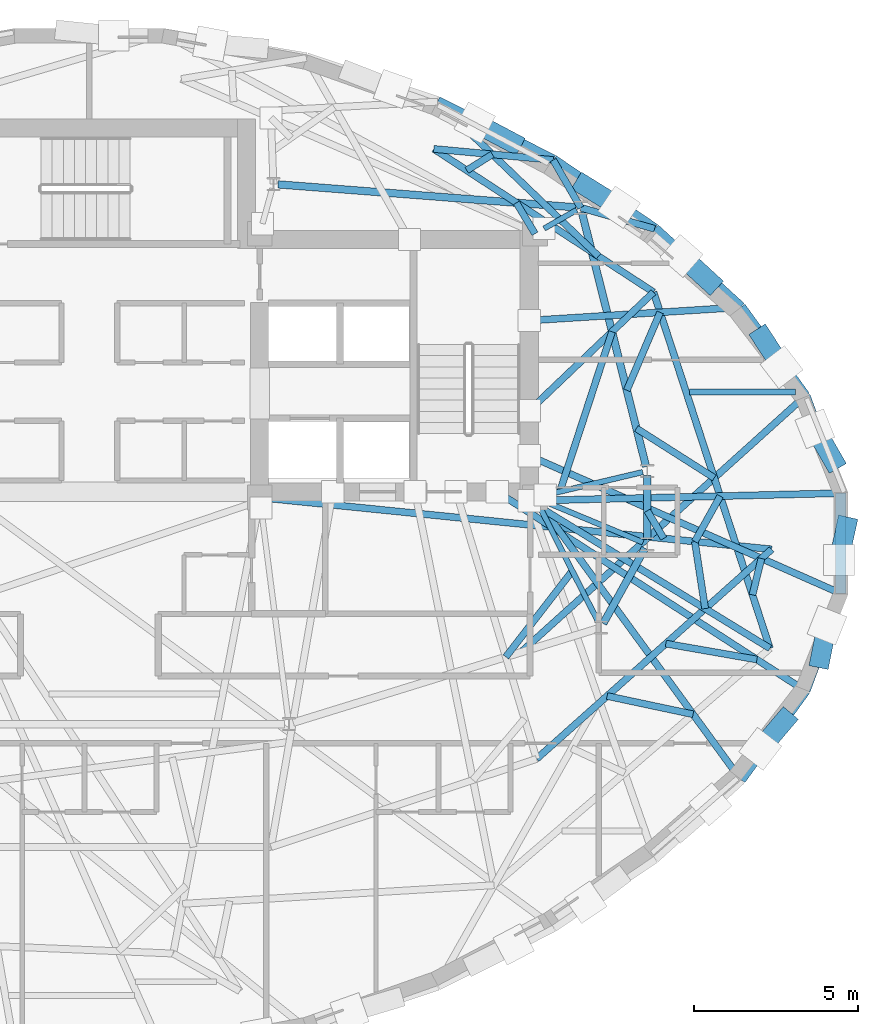
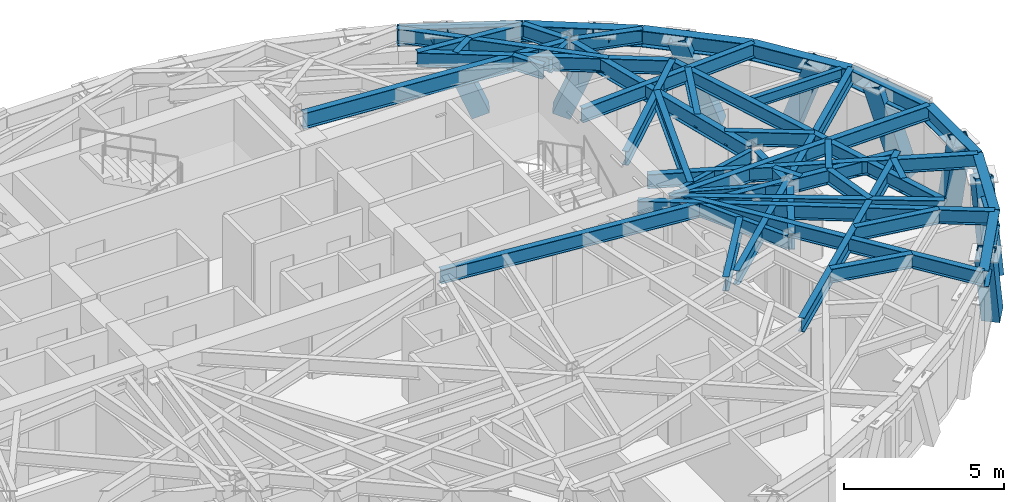
# One storey, part 4 of 13: 45 beams, 8 members.
"""IFC4 building model written with IfcOpenShell, lengths in metres."""

from ifc_helpers import new_model, si_unit, direction, frame, origin, origin_2d, place, context, subcontext, project, spatial, hollow_rectangle, i_section, extrude, material, material_profile, profile_set, type_object, element, save


model = new_model("IFC4")

# Units and contexts
model_context = context("Model", 3, precision=1e-05, world=origin(), true_north=direction((0.0, 1.0)))
body_context = subcontext(model_context, "Body", "Model", "MODEL_VIEW")
ifc_project = project(units=[si_unit("LENGTHUNIT", "METRE"), si_unit("AREAUNIT", "SQUARE_METRE"), si_unit("VOLUMEUNIT", "CUBIC_METRE"), si_unit("PLANEANGLEUNIT", "RADIAN"), si_unit("MASSUNIT", "GRAM", prefix="KILO")], contexts=[model_context])

# Site, building, storey
site_placement = place(None, origin())
site = spatial("IfcSite", under=ifc_project, at=site_placement, CompositionType="ELEMENT")
building_placement = place(site_placement, origin())
building = spatial("IfcBuilding", under=site, at=building_placement, Name="Keldmark Tower", CompositionType="ELEMENT")
storey_placement = place(building_placement, frame((0.0, 0.0, 219.449951171875)))
storey = spatial("IfcBuildingStorey", under=building, at=storey_placement, Name="L61", CompositionType="ELEMENT", Elevation=219.449951171875)

# Beam
ifc_material_1 = material(Name="Steel ASTM A992 Grade 50", Category="steel")
ifc_material_profile_1 = material_profile(ifc_material_1, i_section(OverallWidth=0.177978515625, OverallDepth=0.403076171875, WebThickness=0.007568359375, FlangeThickness=0.010986328125, at=origin_2d()), Name="W16X36")
ifc_profile_set_1 = profile_set([ifc_material_profile_1], Name="Steel ASTM A992 Grade 50")
beam_type_1 = type_object("IfcBeamType", Name="Composite Floor Joist W16X36", PredefinedType="JOIST", material=ifc_profile_set_1)
beam_1_placement = place(storey_placement, frame((18.315185546875, 4.6201171875, 2.7685546875), z_axis=(1.0, 0.0, 0.0), x_axis=(0.0, 1.0, 0.0)))
element("IfcBeam", 1, at=beam_1_placement, inside=storey, type_object=beam_type_1, Name="L61 Composite Floor Joist J08", PredefinedType="JOIST", context=body_context, shape_type="SweptSolid", body=[
    extrude(i_section(OverallWidth=0.177978515625, OverallDepth=0.403076171875, WebThickness=0.007568359375, FlangeThickness=0.010986328125, at=origin_2d()), origin(), (0.0, 0.0, 1.0), 3.240478515625),
])

# Members
ifc_material_2 = material(Name="Steel ASTM A572 Grade 50", Category="steel")
ifc_material_profile_2 = material_profile(ifc_material_2, hollow_rectangle(XDim=0.60009765625, YDim=0.60009765625, WallThickness=0.034912109375, at=origin_2d()), Name="BOX600X600X35")
ifc_profile_set_2 = profile_set([ifc_material_profile_2], Name="Steel ASTM A572 Grade 50")
member_type = type_object("IfcMemberType", Name="Diagrid Zone 4 Brace BOX600X600X35", PredefinedType="BRACE", material=ifc_profile_set_2)
member_1_placement = place(storey_placement, frame((22.703125, 2.531982421875, -0.260009765625), z_axis=(-0.168952052128, 0.29291424866, 0.941093219088), x_axis=(-0.866232864764, -0.499640494758, 0.0)))
element("IfcMember", 2, at=member_1_placement, inside=storey, type_object=member_type, Name="L61 Perimeter Diagrid Brace 01A", PredefinedType="BRACE", context=body_context, shape_type="SweptSolid", body=[
    extrude(hollow_rectangle(XDim=0.60009765625, YDim=0.60009765625, WallThickness=0.034912109375, at=origin_2d()), origin(), (0.0, 0.0, 1.0), 3.3046875),
])
member_2_placement = place(storey_placement, frame((20.53076171875, 6.2978515625, -0.260009765625), z_axis=(0.181034012006, -0.278473995565, 0.94322792595), x_axis=(0.838407962729, 0.545043198318, 0.0)))
element("IfcMember", 3, at=member_2_placement, inside=storey, type_object=member_type, Name="L61 Perimeter Diagrid Brace 01B", PredefinedType="BRACE", context=body_context, shape_type="SweptSolid", body=[
    extrude(hollow_rectangle(XDim=0.60009765625, YDim=0.60009765625, WallThickness=0.034912109375, at=origin_2d()), origin(), (0.0, 0.0, 1.0), 3.29736328125),
])
member_3_placement = place(storey_placement, frame((18.944580078125, 7.97119140625, -0.260009765625), z_axis=(-0.262084150477, 0.241179033521, 0.934422052318), x_axis=(-0.67715021824, -0.735844808324, 0.0)))
element("IfcMember", 4, at=member_3_placement, inside=storey, type_object=member_type, Name="L61 Perimeter Diagrid Brace 02A", PredefinedType="BRACE", context=body_context, shape_type="SweptSolid", body=[
    extrude(hollow_rectangle(XDim=0.60009765625, YDim=0.60009765625, WallThickness=0.034912109375, at=origin_2d()), origin(), (0.0, 0.0, 1.0), 3.328369140625),
])
member_4_placement = place(storey_placement, frame((15.09619140625, 10.928955078125, -0.260009765625), z_axis=(0.320420047481, -0.198635709035, 0.926215335798), x_axis=(0.52689230294, 0.849932056756, 0.0)))
element("IfcMember", 5, at=member_4_placement, inside=storey, type_object=member_type, Name="L61 Perimeter Diagrid Brace 02B", PredefinedType="BRACE", context=body_context, shape_type="SweptSolid", body=[
    extrude(hollow_rectangle(XDim=0.60009765625, YDim=0.60009765625, WallThickness=0.034912109375, at=origin_2d()), origin(), (0.0, 0.0, 1.0), 3.35791015625),
])
member_5_placement = place(storey_placement, frame((12.91650390625, 12.227783203125, -0.260009765625), z_axis=(-0.341857154264, 0.181460064734, 0.922066120723), x_axis=(-0.468849818698, -0.883277899365, 0.0)))
element("IfcMember", 6, at=member_5_placement, inside=storey, type_object=member_type, Name="L61 Perimeter Diagrid Brace 03A", PredefinedType="BRACE", context=body_context, shape_type="SweptSolid", body=[
    extrude(hollow_rectangle(XDim=0.60009765625, YDim=0.60009765625, WallThickness=0.034912109375, at=origin_2d()), origin(), (0.0, 0.0, 1.0), 3.373046875),
])
member_6_placement = place(storey_placement, frame((21.226318359375, -5.389404296875, -0.260009765625), z_axis=(-0.225555592394, -0.266164427033, 0.93716656605), x_axis=(0.762906177168, -0.646509214814, 0.0)))
element("IfcMember", 7, at=member_6_placement, inside=storey, type_object=member_type, Name="L61 Perimeter Diagrid Brace 15B", PredefinedType="BRACE", context=body_context, shape_type="SweptSolid", body=[
    extrude(hollow_rectangle(XDim=0.60009765625, YDim=0.60009765625, WallThickness=0.034912109375, at=origin_2d()), origin(), (0.0, 0.0, 1.0), 3.318603515625),
])
member_7_placement = place(storey_placement, frame((22.309326171875, -3.51171875, -0.260009765625), z_axis=(0.06184838902, 0.308347751522, 0.949260997254), x_axis=(-0.980471164817, 0.196662896761, 0.0)))
element("IfcMember", 8, at=member_7_placement, inside=storey, type_object=member_type, Name="L61 Perimeter Diagrid Brace 16A", PredefinedType="BRACE", context=body_context, shape_type="SweptSolid", body=[
    extrude(hollow_rectangle(XDim=0.60009765625, YDim=0.60009765625, WallThickness=0.034912109375, at=origin_2d()), origin(), (0.0, 0.0, 1.0), 3.2763671875),
])
member_8_placement = place(storey_placement, frame((23.099365234375, 0.521484375, -0.260009765625), z_axis=(-0.068496082974, -0.312583101779, 0.947417590664), x_axis=(0.976822627571, -0.214050354507, 0.0)))
element("IfcMember", 9, at=member_8_placement, inside=storey, type_object=member_type, Name="L61 Perimeter Diagrid Brace 16B", PredefinedType="BRACE", context=body_context, shape_type="SweptSolid", body=[
    extrude(hollow_rectangle(XDim=0.60009765625, YDim=0.60009765625, WallThickness=0.034912109375, at=origin_2d()), origin(), (0.0, 0.0, 1.0), 3.28271484375),
])

# Beams
ifc_material_3 = material(Name="Steel ASTM A992 Grade 50", Category="steel")
ifc_material_profile_3 = material_profile(ifc_material_3, i_section(OverallWidth=0.22802734375, OverallDepth=0.60302734375, WebThickness=0.010498046875, FlangeThickness=0.014892578125, at=origin_2d()), Name="W24X68")
ifc_profile_set_3 = profile_set([ifc_material_profile_3], Name="Steel ASTM A992 Grade 50")
beam_type_2 = type_object("IfcBeamType", Name="Primary Floor Girder W24X68", PredefinedType="BEAM", material=ifc_profile_set_3)
beam_2_placement = place(storey_placement, frame((16.9912109375, 2.34375, 2.66845703125), z_axis=(-0.244902129455, 0.969547805417, 0.0), x_axis=(-0.969547805417, -0.244902129455, 0.0)))
element("IfcBeam", 10, at=beam_2_placement, inside=storey, type_object=beam_type_2, Name="L61 Floor Ring Girder FG-R01", PredefinedType="BEAM", context=body_context, shape_type="SweptSolid", body=[
    extrude(i_section(OverallWidth=0.22802734375, OverallDepth=0.60302734375, WebThickness=0.010498046875, FlangeThickness=0.014892578125, at=origin_2d()), origin(), (0.0, 0.0, 1.0), 8.008056640625),
])
beam_3_placement = place(storey_placement, frame((14.856201171875, 10.25439453125, 2.66845703125), z_axis=(-0.997037147832, 0.076921556421, 0.0), x_axis=(-0.076921556421, -0.997037147832, 0.0)))
element("IfcBeam", 11, at=beam_3_placement, inside=storey, type_object=beam_type_2, Name="L61 Floor Ring Girder FG-R02", PredefinedType="BEAM", context=body_context, shape_type="SweptSolid", body=[
    extrude(i_section(OverallWidth=0.22802734375, OverallDepth=0.60302734375, WebThickness=0.010498046875, FlangeThickness=0.014892578125, at=origin_2d()), origin(), (0.0, 0.0, 1.0), 9.125),
])
beam_4_placement = place(storey_placement, frame((15.68408203125, -2.44482421875, 2.66845703125), z_axis=(0.484719680408, 0.874669555561, 0.0), x_axis=(-0.874669555561, 0.484719680408, 0.0)))
element("IfcBeam", 12, at=beam_4_placement, inside=storey, type_object=beam_type_2, Name="L61 Floor Ring Girder FG-R11", PredefinedType="BEAM", context=body_context, shape_type="SweptSolid", body=[
    extrude(i_section(OverallWidth=0.22802734375, OverallDepth=0.60302734375, WebThickness=0.010498046875, FlangeThickness=0.014892578125, at=origin_2d()), origin(), (0.0, 0.0, 1.0), 2.627685546875),
])
beam_5_placement = place(storey_placement, frame((17.025634765625, 0.115966796875, 2.66845703125), z_axis=(0.0, 1.0, 0.0), x_axis=(-1.0, 0.0, 0.0)))
element("IfcBeam", 13, at=beam_5_placement, inside=storey, type_object=beam_type_2, Name="L61 Floor Ring Girder FG-R12", PredefinedType="BEAM", context=body_context, shape_type="SweptSolid", body=[
    extrude(i_section(OverallWidth=0.22802734375, OverallDepth=0.60302734375, WebThickness=0.010498046875, FlangeThickness=0.014892578125, at=origin_2d()), origin(), (0.0, 0.0, 1.0), 1.9521484375),
])
ifc_material_4 = material(Name="Steel ASTM A992 Grade 50", Category="steel")
ifc_material_profile_4 = material_profile(ifc_material_4, i_section(OverallWidth=0.166015625, OverallDepth=0.529052734375, WebThickness=0.009765625, FlangeThickness=0.013671875, at=origin_2d()), Name="W21X50")
ifc_profile_set_4 = profile_set([ifc_material_profile_4], Name="Steel ASTM A992 Grade 50")
beam_type_3 = type_object("IfcBeamType", Name="Radial Tie Girder W21X50", PredefinedType="BEAM", material=ifc_profile_set_4)
beam_6_placement = place(storey_placement, frame((16.889404296875, 2.17578125, 2.70556640625), z_axis=(-0.97329039005, -0.229577474147, 0.0), x_axis=(0.229577474147, -0.97329039005, 0.0)))
element("IfcBeam", 14, at=beam_6_placement, inside=storey, type_object=beam_type_3, Name="L61 Floor Radial Girder FG-C01", PredefinedType="BEAM", context=body_context, shape_type="SweptSolid", body=[
    extrude(i_section(OverallWidth=0.166015625, OverallDepth=0.529052734375, WebThickness=0.009765625, FlangeThickness=0.013671875, at=origin_2d()), origin(), (0.0, 0.0, 1.0), 3.0595703125),
])
beam_7_placement = place(storey_placement, frame((14.8740234375, 10.174560546875, 2.70556640625), z_axis=(-0.869238046195, -0.494393789451, 0.0), x_axis=(0.494393789451, -0.869238046195, 0.0)))
element("IfcBeam", 15, at=beam_7_placement, inside=storey, type_object=beam_type_3, Name="L61 Floor Radial Girder FG-C02", PredefinedType="BEAM", context=body_context, shape_type="SweptSolid", body=[
    extrude(i_section(OverallWidth=0.166015625, OverallDepth=0.529052734375, WebThickness=0.009765625, FlangeThickness=0.013671875, at=origin_2d()), origin(), (0.0, 0.0, 1.0), 1.145751953125),
])
beam_8_placement = place(storey_placement, frame((15.552734375, -2.442626953125, 2.70556640625), z_axis=(-0.453004410574, 0.89150827478, 0.0), x_axis=(-0.89150827478, -0.453004410574, 0.0)))
element("IfcBeam", 16, at=beam_8_placement, inside=storey, type_object=beam_type_3, Name="L61 Floor Radial Girder FG-C11", PredefinedType="BEAM", context=body_context, shape_type="SweptSolid", body=[
    extrude(i_section(OverallWidth=0.166015625, OverallDepth=0.529052734375, WebThickness=0.009765625, FlangeThickness=0.013671875, at=origin_2d()), origin(), (0.0, 0.0, 1.0), 3.990234375),
])
beam_9_placement = place(storey_placement, frame((16.896240234375, 0.02978515625, 2.70556640625), z_axis=(-0.923403331902, 0.383831065226, 0.0), x_axis=(-0.383831065226, -0.923403331902, 0.0)))
element("IfcBeam", 17, at=beam_9_placement, inside=storey, type_object=beam_type_3, Name="L61 Floor Radial Girder FG-C12", PredefinedType="BEAM", context=body_context, shape_type="SweptSolid", body=[
    extrude(i_section(OverallWidth=0.166015625, OverallDepth=0.529052734375, WebThickness=0.009765625, FlangeThickness=0.013671875, at=origin_2d()), origin(), (0.0, 0.0, 1.0), 3.249755859375),
])
ifc_material_5 = material(Name="Steel ASTM A992 Grade 50", Category="steel")
ifc_material_profile_5 = material_profile(ifc_material_5, i_section(OverallWidth=0.2099609375, OverallDepth=0.537109375, WebThickness=0.010986328125, FlangeThickness=0.017333984375, at=origin_2d()), Name="W21X68")
ifc_profile_set_5 = profile_set([ifc_material_profile_5], Name="Steel ASTM A992 Grade 50")
beam_type_4 = type_object("IfcBeamType", Name="Radial Tie Girder W21X68", PredefinedType="BEAM", material=ifc_profile_set_5)
beam_10_placement = place(storey_placement, frame((14.7392578125, -0.841796875, 2.70166015625), z_axis=(-0.611506175655, -0.79123965847, 0.0), x_axis=(0.79123965847, -0.611506175655, 0.0)))
element("IfcBeam", 18, at=beam_10_placement, inside=storey, type_object=beam_type_4, Name="L61 Framing Pin Header PH-005", PredefinedType="BEAM", context=body_context, shape_type="SweptSolid", body=[
    extrude(i_section(OverallWidth=0.2099609375, OverallDepth=0.537109375, WebThickness=0.010986328125, FlangeThickness=0.017333984375, at=origin_2d()), origin(), (0.0, 0.0, 1.0), 3.315673828125),
])
beam_11_placement = place(storey_placement, frame((17.025634765625, 0.994384765625, 2.70166015625), z_axis=(0.512445675076, -0.858719645807, 0.0), x_axis=(0.858719645807, 0.512445675076, 0.0)))
element("IfcBeam", 19, at=beam_11_placement, inside=storey, type_object=beam_type_4, Name="L61 Framing Pin Header PH-006", PredefinedType="BEAM", context=body_context, shape_type="SweptSolid", body=[
    extrude(i_section(OverallWidth=0.2099609375, OverallDepth=0.537109375, WebThickness=0.010986328125, FlangeThickness=0.017333984375, at=origin_2d()), origin(), (0.0, 0.0, 1.0), 0.9814453125),
])
beam_12_placement = place(storey_placement, frame((5.199951171875, 1.39990234375, 2.70166015625), z_axis=(0.994912802677, -0.100739838538, 0.0), x_axis=(0.100739838538, 0.994912802677, 0.0)))
element("IfcBeam", 20, at=beam_12_placement, inside=storey, type_object=beam_type_4, Name="L61 Sub-Ring Step Girder STP1-M12", PredefinedType="BEAM", context=body_context, shape_type="SweptSolid", body=[
    extrude(i_section(OverallWidth=0.2099609375, OverallDepth=0.537109375, WebThickness=0.010986328125, FlangeThickness=0.017333984375, at=origin_2d()), origin(), (0.0, 0.0, 1.0), 15.70166015625),
])
beam_13_placement = place(storey_placement, frame((13.6494140625, -6.577392578125, 2.70166015625), z_axis=(0.746371150868, 0.665529943092, 0.0), x_axis=(-0.665529943092, 0.746371150868, 0.0)))
element("IfcBeam", 21, at=beam_13_placement, inside=storey, type_object=beam_type_4, Name="L61 Perimeter Collector Ring Beam CRG1-M11", PredefinedType="BEAM", context=body_context, shape_type="SweptSolid", body=[
    extrude(i_section(OverallWidth=0.2099609375, OverallDepth=0.537109375, WebThickness=0.010986328125, FlangeThickness=0.017333984375, at=origin_2d()), origin(), (0.0, 0.0, 1.0), 9.609619140625),
])
beam_14_placement = place(storey_placement, frame((14.358154296875, 1.578857421875, 2.70166015625), z_axis=(0.310429844817, 0.950596292569, 0.0), x_axis=(-0.950596292569, 0.310429844817, 0.0)))
element("IfcBeam", 22, at=beam_14_placement, inside=storey, type_object=beam_type_4, Name="L61 Framing Pin Header PH-007", PredefinedType="BEAM", context=body_context, shape_type="SweptSolid", body=[
    extrude(i_section(OverallWidth=0.2099609375, OverallDepth=0.537109375, WebThickness=0.010986328125, FlangeThickness=0.017333984375, at=origin_2d()), origin(), (0.0, 0.0, 1.0), 5.134033203125),
])
beam_15_placement = place(storey_placement, frame((13.425048828125, 4.050048828125, 2.70166015625), z_axis=(0.72374566049, 0.69006682207, 0.0), x_axis=(-0.69006682207, 0.72374566049, 0.0)))
element("IfcBeam", 23, at=beam_15_placement, inside=storey, type_object=beam_type_4, Name="L61 Sub-Ring Step Girder STP2-M01", PredefinedType="BEAM", context=body_context, shape_type="SweptSolid", body=[
    extrude(i_section(OverallWidth=0.2099609375, OverallDepth=0.537109375, WebThickness=0.010986328125, FlangeThickness=0.017333984375, at=origin_2d()), origin(), (0.0, 0.0, 1.0), 5.240966796875),
])
beam_16_placement = place(storey_placement, frame((18.478515625, 0.055419921875, 2.70166015625), z_axis=(0.151879962165, -0.988398946323, 0.0), x_axis=(0.988398946323, 0.151879962165, 0.0)))
element("IfcBeam", 24, at=beam_16_placement, inside=storey, type_object=beam_type_4, Name="L61 Framing Pin Header PH-012", PredefinedType="BEAM", context=body_context, shape_type="SweptSolid", body=[
    extrude(i_section(OverallWidth=0.2099609375, OverallDepth=0.537109375, WebThickness=0.010986328125, FlangeThickness=0.017333984375, at=origin_2d()), origin(), (0.0, 0.0, 1.0), 2.0703125),
])
beam_17_placement = place(storey_placement, frame((13.425048828125, 1.300048828125, 2.70166015625), z_axis=(0.852530791671, -0.522677002797, 0.0), x_axis=(0.522677002797, 0.852530791671, 0.0)))
element("IfcBeam", 25, at=beam_17_placement, inside=storey, type_object=beam_type_4, Name="L61 Sub-Ring Step Girder STP2-M12", PredefinedType="BEAM", context=body_context, shape_type="SweptSolid", body=[
    extrude(i_section(OverallWidth=0.2099609375, OverallDepth=0.537109375, WebThickness=0.010986328125, FlangeThickness=0.017333984375, at=origin_2d()), origin(), (0.0, 0.0, 1.0), 8.615966796875),
])
beam_18_placement = place(storey_placement, frame((20.7705078125, -3.203369140625, 2.70166015625), z_axis=(-0.310624613531, 0.950532666176, 0.0), x_axis=(-0.950532666176, -0.310624613531, 0.0)))
element("IfcBeam", 26, at=beam_18_placement, inside=storey, type_object=beam_type_4, Name="L61 Perimeter Collector Ring Beam CRG2-M12", PredefinedType="BEAM", context=body_context, shape_type="SweptSolid", body=[
    extrude(i_section(OverallWidth=0.2099609375, OverallDepth=0.537109375, WebThickness=0.010986328125, FlangeThickness=0.017333984375, at=origin_2d()), origin(), (0.0, 0.0, 1.0), 11.435791015625),
])
beam_19_placement = place(storey_placement, frame((18.478515625, 0.055419921875, 2.70166015625), z_axis=(0.487338898859, 0.873212916567, 0.0), x_axis=(-0.873212916567, 0.487338898859, 0.0)))
element("IfcBeam", 27, at=beam_19_placement, inside=storey, type_object=beam_type_4, Name="L61 Framing Pin Header PH-013", PredefinedType="BEAM", context=body_context, shape_type="SweptSolid", body=[
    extrude(i_section(OverallWidth=0.2099609375, OverallDepth=0.537109375, WebThickness=0.010986328125, FlangeThickness=0.017333984375, at=origin_2d()), origin(), (0.0, 0.0, 1.0), 1.588134765625),
])
beam_20_placement = place(storey_placement, frame((13.425048828125, 1.300048828125, 2.70166015625), z_axis=(0.999702675383, 0.024383618106, 0.0), x_axis=(-0.024383618106, 0.999702675383, 0.0)))
element("IfcBeam", 28, at=beam_20_placement, inside=storey, type_object=beam_type_4, Name="L61 Perimeter Radial Tie Girder RT-01", PredefinedType="BEAM", context=body_context, shape_type="SweptSolid", body=[
    extrude(i_section(OverallWidth=0.2099609375, OverallDepth=0.537109375, WebThickness=0.010986328125, FlangeThickness=0.017333984375, at=origin_2d()), origin(), (0.0, 0.0, 1.0), 9.511962890625),
])
beam_21_placement = place(storey_placement, frame((16.697021484375, 3.50830078125, 2.70166015625), z_axis=(0.843622189789, -0.536937241115, 0.0), x_axis=(0.536937241115, 0.843622189789, 0.0)))
element("IfcBeam", 29, at=beam_21_placement, inside=storey, type_object=beam_type_4, Name="L61 Framing Pin Header PH-014", PredefinedType="BEAM", context=body_context, shape_type="SweptSolid", body=[
    extrude(i_section(OverallWidth=0.2099609375, OverallDepth=0.537109375, WebThickness=0.010986328125, FlangeThickness=0.017333984375, at=origin_2d()), origin(), (0.0, 0.0, 1.0), 2.81396484375),
])
beam_22_placement = place(storey_placement, frame((13.16748046875, -3.324462890625, 2.70166015625), z_axis=(0.742762599746, 0.66955486737, 0.0), x_axis=(-0.66955486737, 0.742762599746, 0.0)))
element("IfcBeam", 30, at=beam_22_placement, inside=storey, type_object=beam_type_4, Name="L61 Perimeter Radial Tie Girder RT-02", PredefinedType="BEAM", context=body_context, shape_type="SweptSolid", body=[
    extrude(i_section(OverallWidth=0.2099609375, OverallDepth=0.537109375, WebThickness=0.010986328125, FlangeThickness=0.017333984375, at=origin_2d()), origin(), (0.0, 0.0, 1.0), 11.675537109375),
])
beam_23_placement = place(storey_placement, frame((16.40283203125, 4.673095703125, 2.70166015625), z_axis=(0.393212743804, 0.919447517866, 0.0), x_axis=(-0.919447517866, 0.393212743804, 0.0)))
element("IfcBeam", 31, at=beam_23_placement, inside=storey, type_object=beam_type_4, Name="L61 Framing Pin Header PH-015", PredefinedType="BEAM", context=body_context, shape_type="SweptSolid", body=[
    extrude(i_section(OverallWidth=0.2099609375, OverallDepth=0.537109375, WebThickness=0.010986328125, FlangeThickness=0.017333984375, at=origin_2d()), origin(), (0.0, 0.0, 1.0), 2.5859375),
])
beam_24_placement = place(storey_placement, frame((13.425048828125, 6.800048828125, 2.70166015625), z_axis=(0.998035051079, 0.062658094598, 0.0), x_axis=(-0.062658094598, 0.998035051079, 0.0)))
element("IfcBeam", 32, at=beam_24_placement, inside=storey, type_object=beam_type_4, Name="L61 Perimeter Radial Tie Girder RT-03", PredefinedType="BEAM", context=body_context, shape_type="SweptSolid", body=[
    extrude(i_section(OverallWidth=0.2099609375, OverallDepth=0.537109375, WebThickness=0.010986328125, FlangeThickness=0.017333984375, at=origin_2d()), origin(), (0.0, 0.0, 1.0), 6.464111328125),
])
beam_25_placement = place(storey_placement, frame((14.995849609375, 10.24365234375, 2.70166015625), z_axis=(0.961618236032, -0.274390903879, 0.0), x_axis=(0.274390903879, 0.961618236032, 0.0)))
element("IfcBeam", 33, at=beam_25_placement, inside=storey, type_object=beam_type_4, Name="L61 Perimeter Column Bracket RT-04", PredefinedType="BEAM", context=body_context, shape_type="SweptSolid", body=[
    extrude(i_section(OverallWidth=0.2099609375, OverallDepth=0.537109375, WebThickness=0.010986328125, FlangeThickness=0.017333984375, at=origin_2d()), origin(), (0.0, 0.0, 1.0), 2.343505859375),
])
beam_26_placement = place(storey_placement, frame((14.995849609375, 10.24365234375, 2.70166015625), z_axis=(-0.499735037003, 0.866178326207, 0.0), x_axis=(-0.866178326207, -0.499735037003, 0.0)))
element("IfcBeam", 34, at=beam_26_placement, inside=storey, type_object=beam_type_4, Name="L61 Perimeter Column Bracket RT-05", PredefinedType="BEAM", context=body_context, shape_type="SweptSolid", body=[
    extrude(i_section(OverallWidth=0.2099609375, OverallDepth=0.537109375, WebThickness=0.010986328125, FlangeThickness=0.017333984375, at=origin_2d()), origin(), (0.0, 0.0, 1.0), 1.6796875),
])
beam_27_placement = place(storey_placement, frame((13.60009765625, 9.449951171875, 2.70166015625), z_axis=(-0.513745916882, 0.857942383198, 0.0), x_axis=(-0.857942383198, -0.513745916882, 0.0)))
element("IfcBeam", 35, at=beam_27_placement, inside=storey, type_object=beam_type_4, Name="L61 Framing Pin Header PH-016", PredefinedType="BEAM", context=body_context, shape_type="SweptSolid", body=[
    extrude(i_section(OverallWidth=0.2099609375, OverallDepth=0.537109375, WebThickness=0.010986328125, FlangeThickness=0.017333984375, at=origin_2d()), origin(), (0.0, 0.0, 1.0), 1.1015625),
])
beam_28_placement = place(storey_placement, frame((17.21826171875, 7.666748046875, 2.70166015625), z_axis=(-0.837651852887, 0.546204516051, 0.0), x_axis=(-0.546204516051, -0.837651852887, 0.0)))
element("IfcBeam", 36, at=beam_28_placement, inside=storey, type_object=beam_type_4, Name="L61 Intermediate Radial Step Girder RT-06M", PredefinedType="BEAM", context=body_context, shape_type="SweptSolid", body=[
    extrude(i_section(OverallWidth=0.2099609375, OverallDepth=0.537109375, WebThickness=0.010986328125, FlangeThickness=0.017333984375, at=origin_2d()), origin(), (0.0, 0.0, 1.0), 8.0048828125),
])
beam_29_placement = place(storey_placement, frame((14.156494140625, 11.698486328125, 2.70166015625), z_axis=(-0.995659763976, 0.093067902087, 0.0), x_axis=(-0.093067902087, -0.995659763976, 0.0)))
element("IfcBeam", 37, at=beam_29_placement, inside=storey, type_object=beam_type_4, Name="L61 Local Collector Chord RT-06C", PredefinedType="BEAM", context=body_context, shape_type="SweptSolid", body=[
    extrude(i_section(OverallWidth=0.2099609375, OverallDepth=0.537109375, WebThickness=0.010986328125, FlangeThickness=0.017333984375, at=origin_2d()), origin(), (0.0, 0.0, 1.0), 3.659423828125),
])
beam_30_placement = place(storey_placement, frame((11.518798828125, 11.38330078125, 2.70166015625), z_axis=(0.847610934748, 0.530618227444, 0.0), x_axis=(-0.530618227444, 0.847610934748, 0.0)))
element("IfcBeam", 38, at=beam_30_placement, inside=storey, type_object=beam_type_4, Name="L61 Framing Pin Header PH-017", PredefinedType="BEAM", context=body_context, shape_type="SweptSolid", body=[
    extrude(i_section(OverallWidth=0.2099609375, OverallDepth=0.537109375, WebThickness=0.010986328125, FlangeThickness=0.017333984375, at=origin_2d()), origin(), (0.0, 0.0, 1.0), 0.921142578125),
])
beam_31_placement = place(storey_placement, frame((15.5419921875, 8.760009765625, 2.70166015625), z_axis=(-0.721463901399, 0.692452048143, 0.0), x_axis=(-0.692452048143, -0.721463901399, 0.0)))
element("IfcBeam", 39, at=beam_31_placement, inside=storey, type_object=beam_type_4, Name="L61 Perimeter Radial Tie Girder RT-06", PredefinedType="BEAM", context=body_context, shape_type="SweptSolid", body=[
    extrude(i_section(OverallWidth=0.2099609375, OverallDepth=0.537109375, WebThickness=0.010986328125, FlangeThickness=0.017333984375, at=origin_2d()), origin(), (0.0, 0.0, 1.0), 6.81640625),
])
beam_32_placement = place(storey_placement, frame((15.801025390625, -4.65869140625, 2.70166015625), z_axis=(0.978140583539, -0.207944701383, 0.0), x_axis=(0.207944701383, 0.978140583539, 0.0)))
element("IfcBeam", 40, at=beam_32_placement, inside=storey, type_object=beam_type_4, Name="L61 Framing Pin Header PH-033", PredefinedType="BEAM", context=body_context, shape_type="SweptSolid", body=[
    extrude(i_section(OverallWidth=0.2099609375, OverallDepth=0.537109375, WebThickness=0.010986328125, FlangeThickness=0.017333984375, at=origin_2d()), origin(), (0.0, 0.0, 1.0), 2.683837890625),
])
beam_33_placement = place(storey_placement, frame((13.60009765625, 1.39990234375, 2.70166015625), z_axis=(0.589288757354, -0.807922496565, 0.0), x_axis=(0.807922496565, 0.589288757354, 0.0)))
element("IfcBeam", 41, at=beam_33_placement, inside=storey, type_object=beam_type_4, Name="L61 Perimeter Radial Tie Girder RT-30", PredefinedType="BEAM", context=body_context, shape_type="SweptSolid", body=[
    extrude(i_section(OverallWidth=0.2099609375, OverallDepth=0.537109375, WebThickness=0.010986328125, FlangeThickness=0.017333984375, at=origin_2d()), origin(), (0.0, 0.0, 1.0), 10.650634765625),
])
beam_34_placement = place(storey_placement, frame((17.59423828125, -3.059814453125, 2.70166015625), z_axis=(0.985079303614, -0.172101033095, 0.0), x_axis=(0.172101033095, 0.985079303614, 0.0)))
element("IfcBeam", 42, at=beam_34_placement, inside=storey, type_object=beam_type_4, Name="L61 Framing Pin Header PH-034", PredefinedType="BEAM", context=body_context, shape_type="SweptSolid", body=[
    extrude(i_section(OverallWidth=0.2099609375, OverallDepth=0.537109375, WebThickness=0.010986328125, FlangeThickness=0.017333984375, at=origin_2d()), origin(), (0.0, 0.0, 1.0), 2.820068359375),
])
beam_35_placement = place(storey_placement, frame((12.4462890625, 1.574951171875, 2.70166015625), z_axis=(0.839984027916, -0.542611124882, 0.0), x_axis=(0.542611124882, 0.839984027916, 0.0)))
element("IfcBeam", 43, at=beam_35_placement, inside=storey, type_object=beam_type_4, Name="L61 Perimeter Radial Tie Girder RT-31", PredefinedType="BEAM", context=body_context, shape_type="SweptSolid", body=[
    extrude(i_section(OverallWidth=0.2099609375, OverallDepth=0.537109375, WebThickness=0.010986328125, FlangeThickness=0.017333984375, at=origin_2d()), origin(), (0.0, 0.0, 1.0), 11.1826171875),
])
beam_36_placement = place(storey_placement, frame((20.237548828125, -1.572998046875, 2.70166015625), z_axis=(0.238122970357, 0.971235013263, 0.0), x_axis=(-0.971235013263, 0.238122970357, 0.0)))
element("IfcBeam", 44, at=beam_36_placement, inside=storey, type_object=beam_type_4, Name="L61 Framing Pin Header PH-035", PredefinedType="BEAM", context=body_context, shape_type="SweptSolid", body=[
    extrude(i_section(OverallWidth=0.2099609375, OverallDepth=0.537109375, WebThickness=0.010986328125, FlangeThickness=0.017333984375, at=origin_2d()), origin(), (0.0, 0.0, 1.0), 1.146240234375),
])
beam_37_placement = place(storey_placement, frame((13.425048828125, 2.675048828125, 2.70166015625), z_axis=(0.914495746081, -0.404595514557, 0.0), x_axis=(0.404595514557, 0.914495746081, 0.0)))
element("IfcBeam", 45, at=beam_37_placement, inside=storey, type_object=beam_type_4, Name="L61 Perimeter Radial Tie Girder RT-32", PredefinedType="BEAM", context=body_context, shape_type="SweptSolid", body=[
    extrude(i_section(OverallWidth=0.2099609375, OverallDepth=0.537109375, WebThickness=0.010986328125, FlangeThickness=0.017333984375, at=origin_2d()), origin(), (0.0, 0.0, 1.0), 10.398193359375),
])
ifc_material_6 = material(Name="Steel ASTM A992 Grade 50", Category="steel")
ifc_material_profile_6 = material_profile(ifc_material_6, i_section(OverallWidth=0.326904296875, OverallDepth=0.6220703125, WebThickness=0.015380859375, FlangeThickness=0.0244140625, at=origin_2d()), Name="W24X131")
ifc_profile_set_6 = profile_set([ifc_material_profile_6], Name="Steel ASTM A992 Grade 50")
beam_type_5 = type_object("IfcBeamType", Name="Spandrel Ring Beam W24X131", PredefinedType="SPANDREL", material=ifc_profile_set_6)
beam_38_placement = place(storey_placement, frame((22.93408203125, 1.531982421875, 2.658935546875), z_axis=(-0.346712268846, 0.937971536152, 0.0), x_axis=(-0.937971536152, -0.346712268846, 0.0)))
element("IfcBeam", 46, at=beam_38_placement, inside=storey, type_object=beam_type_5, Name="L61 Perimeter Spandrel Ring Beam SRB-01", PredefinedType="SPANDREL", context=body_context, shape_type="SweptSolid", body=[
    extrude(i_section(OverallWidth=0.326904296875, OverallDepth=0.6220703125, WebThickness=0.015380859375, FlangeThickness=0.0244140625, at=origin_2d()), origin(), (0.0, 0.0, 1.0), 3.15673828125),
])
beam_39_placement = place(storey_placement, frame((21.839599609375, 4.492919921875, 2.658935546875), z_axis=(-0.586344849721, 0.810061551492, 0.0), x_axis=(-0.810061551492, -0.586344849721, 0.0)))
element("IfcBeam", 47, at=beam_39_placement, inside=storey, type_object=beam_type_5, Name="L61 Perimeter Spandrel Ring Beam SRB-02", PredefinedType="SPANDREL", context=body_context, shape_type="SweptSolid", body=[
    extrude(i_section(OverallWidth=0.326904296875, OverallDepth=0.6220703125, WebThickness=0.015380859375, FlangeThickness=0.0244140625, at=origin_2d()), origin(), (0.0, 0.0, 1.0), 3.34814453125),
])
beam_40_placement = place(storey_placement, frame((19.87646484375, 7.205078125, 2.658935546875), z_axis=(-0.738907573949, 0.673806795129, 0.0), x_axis=(-0.673806795129, -0.738907573949, 0.0)))
element("IfcBeam", 48, at=beam_40_placement, inside=storey, type_object=beam_type_5, Name="L61 Perimeter Spandrel Ring Beam SRB-03", PredefinedType="SPANDREL", context=body_context, shape_type="SweptSolid", body=[
    extrude(i_section(OverallWidth=0.326904296875, OverallDepth=0.6220703125, WebThickness=0.015380859375, FlangeThickness=0.0244140625, at=origin_2d()), origin(), (0.0, 0.0, 1.0), 3.55517578125),
])
beam_41_placement = place(storey_placement, frame((17.24951171875, 9.6005859375, 2.658935546875), z_axis=(-0.827591742774, 0.561330479569, 0.0), x_axis=(-0.561330479569, -0.827591742774, 0.0)))
element("IfcBeam", 49, at=beam_41_placement, inside=storey, type_object=beam_type_5, Name="L61 Perimeter Spandrel Ring Beam SRB-04", PredefinedType="SPANDREL", context=body_context, shape_type="SweptSolid", body=[
    extrude(i_section(OverallWidth=0.326904296875, OverallDepth=0.6220703125, WebThickness=0.015380859375, FlangeThickness=0.0244140625, at=origin_2d()), origin(), (0.0, 0.0, 1.0), 3.7373046875),
])
beam_42_placement = place(storey_placement, frame((14.156494140625, 11.698486328125, 2.658935546875), z_axis=(-0.892866610217, 0.450321236851, 0.0), x_axis=(-0.450321236851, -0.892866610217, 0.0)))
element("IfcBeam", 50, at=beam_42_placement, inside=storey, type_object=beam_type_5, Name="L61 Perimeter Spandrel Ring Beam SRB-05", PredefinedType="SPANDREL", context=body_context, shape_type="SweptSolid", body=[
    extrude(i_section(OverallWidth=0.326904296875, OverallDepth=0.6220703125, WebThickness=0.015380859375, FlangeThickness=0.0244140625, at=origin_2d()), origin(), (0.0, 0.0, 1.0), 3.9560546875),
])
beam_43_placement = place(storey_placement, frame((19.87646484375, -7.205078125, 2.658935546875), z_axis=(0.586344849721, 0.810061551492, 0.0), x_axis=(-0.810061551492, 0.586344849721, 0.0)))
element("IfcBeam", 51, at=beam_43_placement, inside=storey, type_object=beam_type_5, Name="L61 Perimeter Spandrel Ring Beam SRB-30", PredefinedType="SPANDREL", context=body_context, shape_type="SweptSolid", body=[
    extrude(i_section(OverallWidth=0.326904296875, OverallDepth=0.6220703125, WebThickness=0.015380859375, FlangeThickness=0.0244140625, at=origin_2d()), origin(), (0.0, 0.0, 1.0), 3.34814453125),
])
beam_44_placement = place(storey_placement, frame((21.839599609375, -4.492919921875, 2.658935546875), z_axis=(0.346712268846, 0.937971536152, 0.0), x_axis=(-0.937971536152, 0.346712268846, 0.0)))
element("IfcBeam", 52, at=beam_44_placement, inside=storey, type_object=beam_type_5, Name="L61 Perimeter Spandrel Ring Beam SRB-31", PredefinedType="SPANDREL", context=body_context, shape_type="SweptSolid", body=[
    extrude(i_section(OverallWidth=0.326904296875, OverallDepth=0.6220703125, WebThickness=0.015380859375, FlangeThickness=0.0244140625, at=origin_2d()), origin(), (0.0, 0.0, 1.0), 3.15673828125),
])
beam_45_placement = place(storey_placement, frame((22.93408203125, -1.531982421875, 2.658935546875), z_axis=(0.0, 1.0, 0.0), x_axis=(-1.0, 0.0, 0.0)))
element("IfcBeam", 53, at=beam_45_placement, inside=storey, type_object=beam_type_5, Name="L61 Perimeter Spandrel Ring Beam SRB-32", PredefinedType="SPANDREL", context=body_context, shape_type="SweptSolid", body=[
    extrude(i_section(OverallWidth=0.326904296875, OverallDepth=0.6220703125, WebThickness=0.015380859375, FlangeThickness=0.0244140625, at=origin_2d()), origin(), (0.0, 0.0, 1.0), 3.06396484375),
])

save(model, "model.ifc")
